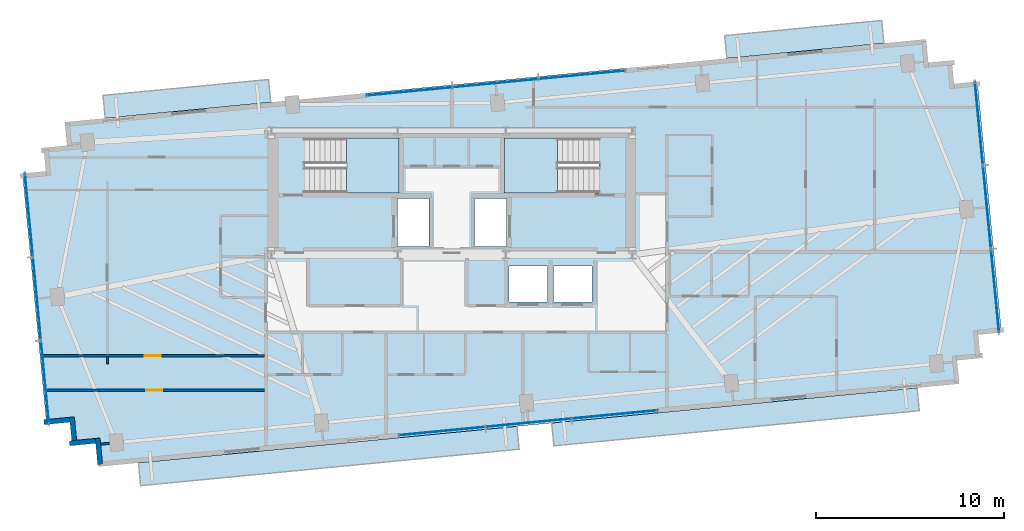
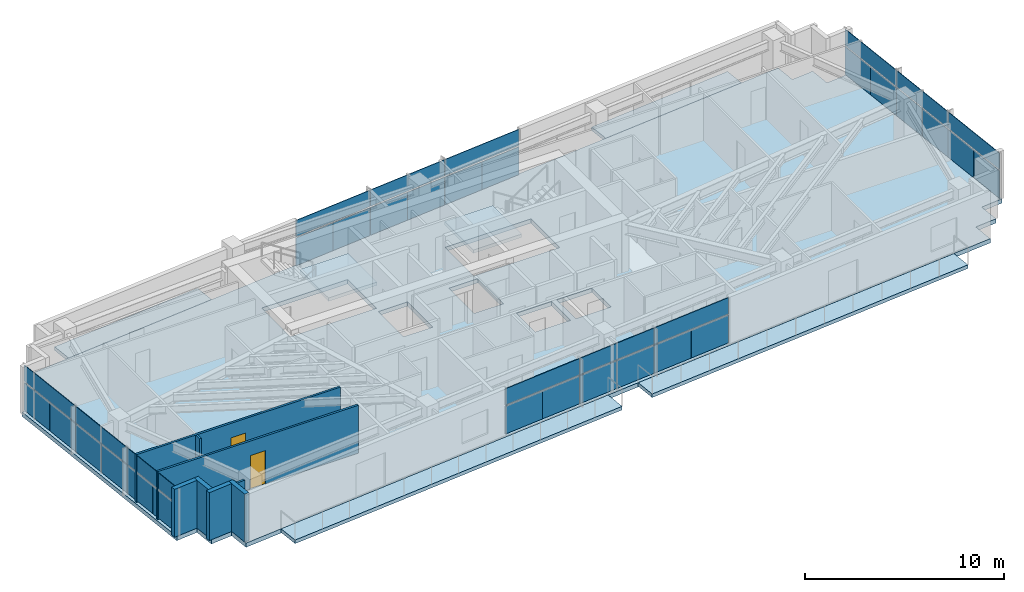
# One storey, part 12 of 18: 36 plates, 8 walls, 7 slabs, 2 doors, 2 openings, 6 elements without a shape of their own.
"""IFC4 building model written with IfcOpenShell, lengths in metres."""

from ifc_helpers import new_model, si_unit, direction, frame, frame_2d, origin, origin_2d, place, context, subcontext, project, spatial, polyline, rectangle, outline, extrude, source, transform, mapped, material, layer, layer_set, type_object, type_shapes, element, fill, aggregate, save


model = new_model("IFC4")

# Units and contexts
model_context = context("Model", 3, precision=1e-05, world=origin(), true_north=direction((0.0, 1.0)))
body_context = subcontext(model_context, "Body", "Model", "MODEL_VIEW")
ifc_project = project(units=[si_unit("LENGTHUNIT", "METRE"), si_unit("AREAUNIT", "SQUARE_METRE"), si_unit("VOLUMEUNIT", "CUBIC_METRE"), si_unit("PLANEANGLEUNIT", "RADIAN"), si_unit("MASSUNIT", "GRAM", prefix="KILO")], contexts=[model_context])

# Site, building, storey
site_placement = place(None, origin())
site = spatial("IfcSite", under=ifc_project, at=site_placement, CompositionType="ELEMENT")
building_placement = place(site_placement, origin())
building = spatial("IfcBuilding", under=site, at=building_placement, Name="Astriad Promenade Condominiums", CompositionType="ELEMENT")
storey_placement = place(building_placement, frame((0.0, 0.0, 192.199951171875)))
storey = spatial("IfcBuildingStorey", under=building, at=storey_placement, Name="L55", CompositionType="ELEMENT", Elevation=192.199951171875)

# Slab
ifc_material_1 = material(Name="Concrete C50/60", Category="concrete")
ifc_layer_1 = layer(ifc_material_1, 0.260009765625)
ifc_layer_set_1 = layer_set([ifc_layer_1], Name="Concrete C50/60")
slab_type_1 = type_object("IfcSlabType", Name="CONCRETE TOWER FLOOR SLAB 260", PredefinedType="FLOOR", material=ifc_layer_set_1)
slab_1_placement = place(storey_placement, frame((0.0, 0.0, -0.260009765625)))
element("IfcSlab", 1, at=slab_1_placement, inside=storey, type_object=slab_type_1, Name="Structural Floor Slab (L55)", PredefinedType="FLOOR", context=body_context, shape_type="SweptSolid", body=[
    extrude(outline(polyline([(17.187744140625, 6.137939453125), (62.975830078125, 10.546875), (62.856201171875, 11.791015625), (64.100341796875, 11.910888671875), (63.98046875, 13.155029296875), (65.224853515625, 13.27490234375), (63.9404296875, 26.61328125), (62.6962890625, 26.493408203125), (62.576416015625, 27.73779296875), (61.33203125, 27.617919921875), (61.21240234375, 28.862060546875), (15.424072265625, 24.453125), (15.5439453125, 23.208984375), (14.2998046875, 23.089111328125), (14.41943359375, 21.844970703125), (13.17529296875, 21.72509765625), (14.459716796875, 8.38671875), (15.703857421875, 8.506591796875), (15.823486328125, 7.26220703125), (17.06787109375, 7.382080078125), (17.187744140625, 6.137939453125)]), holes=[polyline([(28.175048828125, 20.699951171875), (33.175048828125, 20.699951171875), (33.175048828125, 23.60009765625), (28.175048828125, 23.60009765625), (28.175048828125, 20.699951171875)]), polyline([(38.824951171875, 20.699951171875), (43.824951171875, 20.699951171875), (43.824951171875, 23.60009765625), (38.824951171875, 23.60009765625), (38.824951171875, 20.699951171875)]), polyline([(33.10009765625, 17.85009765625), (34.800048828125, 17.85009765625), (34.800048828125, 20.39990234375), (33.10009765625, 20.39990234375), (33.10009765625, 17.85009765625)]), polyline([(37.199951171875, 17.85009765625), (38.89990234375, 17.85009765625), (38.89990234375, 20.39990234375), (37.199951171875, 20.39990234375), (37.199951171875, 17.85009765625)]), polyline([(39.050048828125, 14.89990234375), (41.10009765625, 14.89990234375), (41.10009765625, 16.800048828125), (39.050048828125, 16.800048828125), (39.050048828125, 14.89990234375)]), polyline([(41.39990234375, 14.89990234375), (43.449951171875, 14.89990234375), (43.449951171875, 16.800048828125), (41.39990234375, 16.800048828125), (41.39990234375, 14.89990234375)])]), origin(), (0.0, 0.0, 1.0), 0.260009765625),
])

# Stair, slab
stair_type = type_object("IfcStairType", Name="STR-CORE-1350", PredefinedType="HALF_TURN_STAIR", material=ifc_material_1)
stair_1_placement = place(storey_placement, origin())
stair_1 = element("IfcStair", 2, at=stair_1_placement, inside=storey, type_object=stair_type, Name="L55 Enclosed Core Exit Stair ST-1", PredefinedType="HALF_TURN_STAIR")
ifc_layer_2 = layer(ifc_material_1, 0.219970703125)
ifc_layer_set_2 = layer_set([ifc_layer_2], Name="Concrete C50/60")
slab_type_2 = type_object("IfcSlabType", Name="SLB-LANDING-220", PredefinedType="LANDING", material=ifc_layer_set_2)
slab_2_placement = place(storey_placement, frame((0.0, 0.0, 1.400146484375)))
slab_2 = element("IfcSlab", 3, at=slab_2_placement, type_object=slab_type_2, Name="ST-1 landing 1", PredefinedType="LANDING", context=body_context, shape_type="SweptSolid", body=[
    extrude(outline(polyline([(30.389892578125, 20.699951171875), (33.199951171875, 20.699951171875), (33.199951171875, 23.60009765625), (30.389892578125, 23.60009765625), (30.389892578125, 20.699951171875)])), origin(), (0.0, 0.0, 1.0), 0.199951171875),
])
aggregate(stair_1, [slab_2])

stair_2_placement = place(storey_placement, origin())
stair_2 = element("IfcStair", 4, at=stair_2_placement, inside=storey, type_object=stair_type, Name="L55 Enclosed Core Exit Stair ST-2", PredefinedType="HALF_TURN_STAIR")
slab_3_placement = place(storey_placement, frame((0.0, 0.0, 1.400146484375)))
slab_3 = element("IfcSlab", 5, at=slab_3_placement, type_object=slab_type_2, Name="ST-2 landing 1", PredefinedType="LANDING", context=body_context, shape_type="SweptSolid", body=[
    extrude(outline(polyline([(41.610107421875, 23.60009765625), (38.800048828125, 23.60009765625), (38.800048828125, 20.699951171875), (41.610107421875, 20.699951171875), (41.610107421875, 23.60009765625)])), origin(), (0.0, 0.0, 1.0), 0.199951171875),
])
aggregate(stair_2, [slab_3])

# Slabs
ifc_material_2 = material(Name="Precast concrete C50/60", Category="concrete")
ifc_layer_3 = layer(ifc_material_2, 0.219970703125)
ifc_layer_set_3 = layer_set([ifc_layer_3], Name="Precast concrete C50/60")
slab_type_3 = type_object("IfcSlabType", Name="WHITE PRECAST CONCRETE WAVE BALCONY SLAB 220", PredefinedType="FLOOR", material=ifc_layer_set_3)
slab_4_placement = place(storey_placement, frame((0.0, 0.0, -0.219970703125)))
element("IfcSlab", 6, at=slab_4_placement, inside=storey, type_object=slab_type_3, Name="White Precast Wave Balcony Slab BAL-L55-SW", PredefinedType="FLOOR", context=body_context, shape_type="SweptSolid", body=[
    extrude(outline(polyline([(19.455810546875, 5.130615234375), (39.57861328125, 7.068359375), (39.461669921875, 8.28271484375), (19.338623046875, 6.344970703125), (19.455810546875, 5.130615234375)])), origin(), (0.0, 0.0, 1.0), 0.219970703125),
])
slab_5_placement = place(storey_placement, frame((0.0, 0.0, -0.219970703125)))
element("IfcSlab", 7, at=slab_5_placement, inside=storey, type_object=slab_type_3, Name="White Precast Wave Balcony Slab BAL-L55-SE", PredefinedType="FLOOR", context=body_context, shape_type="SweptSolid", body=[
    extrude(outline(polyline([(60.851318359375, 9.11669921875), (41.425048828125, 7.24609375), (41.308349609375, 8.45849609375), (60.734619140625, 10.3291015625), (60.851318359375, 9.11669921875)])), origin(), (0.0, 0.0, 1.0), 0.219970703125),
])
slab_6_placement = place(storey_placement, frame((0.0, 0.0, -0.219970703125)))
element("IfcSlab", 8, at=slab_6_placement, inside=storey, type_object=slab_type_3, Name="White Precast Wave Balcony Slab BAL-L55-NW", PredefinedType="FLOOR", context=body_context, shape_type="SweptSolid", body=[
    extrude(outline(polyline([(17.458251953125, 25.874755859375), (26.256591796875, 26.721923828125), (26.373291015625, 25.509521484375), (17.574951171875, 24.662353515625), (17.458251953125, 25.874755859375)])), origin(), (0.0, 0.0, 1.0), 0.219970703125),
])
slab_7_placement = place(storey_placement, frame((0.0, 0.0, -0.219970703125)))
element("IfcSlab", 9, at=slab_7_placement, inside=storey, type_object=slab_type_3, Name="White Precast Wave Balcony Slab BAL-L55-NE", PredefinedType="FLOOR", context=body_context, shape_type="SweptSolid", body=[
    extrude(outline(polyline([(50.50439453125, 29.056640625), (58.853759765625, 29.860595703125), (58.970458984375, 28.648193359375), (50.62109375, 27.84423828125), (50.50439453125, 29.056640625)])), origin(), (0.0, 0.0, 1.0), 0.219970703125),
])

# Curtain wall, plates
ifc_material_3 = material(Name="Anodised aluminium Black Dark Glass Unitised", Category="aluminium")
curtain_wall_type = type_object("IfcCurtainWallType", Name="CW-B34-DARK", PredefinedType="USERDEFINED", material=ifc_material_3)
curtain_wall_1_placement = place(storey_placement, origin())
curtain_wall_1 = element("IfcCurtainWall", 10, at=curtain_wall_1_placement, inside=storey, type_object=curtain_wall_type, Name="CW-L55-W", ObjectType="UNITISED_CURTAIN_WALL", PredefinedType="USERDEFINED")
ifc_material_4 = material(Name="Dark Tinted Low-E Laminated Glass", Category="glass")
ifc_layer_4 = layer(ifc_material_4, 0.035888671875)
ifc_layer_set_4 = layer_set([ifc_layer_4], Name="Dark Tinted Low-E Laminated Glass")
plate_type = type_object("IfcPlateType", Name="PNL-DARK-GLASS-36", PredefinedType="CURTAIN_PANEL", material=ifc_layer_set_4)
shared_shape_1 = source(origin(), body_context, "Body", "SweptSolid", [
    extrude(rectangle(XDim=2.22119140625, YDim=0.035888671875, at=origin_2d()), origin(), (0.0, 0.0, 1.0), 1.702880859375),
])
plate_1_placement = place(storey_placement, frame((14.48193359375, 9.5107421875, 0.080078125), z_axis=(0.0, 0.0, 1.0), x_axis=(-0.09584575252, 0.995396198367, 0.0)))
plate_1 = element("IfcPlate", 11, at=plate_1_placement, type_object=plate_type, Name="CW-L55-W-PNL-00-VL", PredefinedType="CURTAIN_PANEL", context=body_context, shape_type="MappedRepresentation", body=[
    mapped(shared_shape_1, transform((0.0, 0.0, 0.0), scale=1.0)),
])
plate_2_placement = place(storey_placement, frame((14.267822265625, 11.73388671875, 0.080078125), z_axis=(0.0, 0.0, 1.0), x_axis=(-0.09584575252, 0.995396198367, 0.0)))
plate_2 = element("IfcPlate", 12, at=plate_2_placement, type_object=plate_type, Name="CW-L55-W-PNL-00-VR", PredefinedType="CURTAIN_PANEL", context=body_context, shape_type="MappedRepresentation", body=[
    mapped(shared_shape_1, transform((0.0, 0.0, 0.0), scale=1.0)),
])
plate_3_placement = place(storey_placement, frame((14.053955078125, 13.956787109375, 0.080078125), z_axis=(0.0, 0.0, 1.0), x_axis=(-0.09584575252, 0.995396198367, 0.0)))
plate_3 = element("IfcPlate", 13, at=plate_3_placement, type_object=plate_type, Name="CW-L55-W-PNL-01-VL", PredefinedType="CURTAIN_PANEL", context=body_context, shape_type="MappedRepresentation", body=[
    mapped(shared_shape_1, transform((0.0, 0.0, 0.0), scale=1.0)),
])
plate_4_placement = place(storey_placement, frame((13.839599609375, 16.179931640625, 0.080078125), z_axis=(0.0, 0.0, 1.0), x_axis=(-0.09584575252, 0.995396198367, 0.0)))
plate_4 = element("IfcPlate", 14, at=plate_4_placement, type_object=plate_type, Name="CW-L55-W-PNL-01-VR", PredefinedType="CURTAIN_PANEL", context=body_context, shape_type="MappedRepresentation", body=[
    mapped(shared_shape_1, transform((0.0, 0.0, 0.0), scale=1.0)),
])
plate_5_placement = place(storey_placement, frame((13.625732421875, 18.403076171875, 0.080078125), z_axis=(0.0, 0.0, 1.0), x_axis=(-0.09584575252, 0.995396198367, 0.0)))
plate_5 = element("IfcPlate", 15, at=plate_5_placement, type_object=plate_type, Name="CW-L55-W-PNL-02-VL", PredefinedType="CURTAIN_PANEL", context=body_context, shape_type="MappedRepresentation", body=[
    mapped(shared_shape_1, transform((0.0, 0.0, 0.0), scale=1.0)),
])
plate_6_placement = place(storey_placement, frame((13.41162109375, 20.626220703125, 0.080078125), z_axis=(0.0, 0.0, 1.0), x_axis=(-0.09584575252, 0.995396198367, 0.0)))
plate_6 = element("IfcPlate", 16, at=plate_6_placement, type_object=plate_type, Name="CW-L55-W-PNL-02-VR", PredefinedType="CURTAIN_PANEL", context=body_context, shape_type="MappedRepresentation", body=[
    mapped(shared_shape_1, transform((0.0, 0.0, 0.0), scale=1.0)),
])

curtain_wall_2_placement = place(storey_placement, origin())
curtain_wall_2 = element("IfcCurtainWall", 17, at=curtain_wall_2_placement, inside=storey, type_object=curtain_wall_type, Name="CW-L55-E", ObjectType="UNITISED_CURTAIN_WALL", PredefinedType="USERDEFINED")
plate_7_placement = place(storey_placement, frame((63.91796875, 25.4892578125, 0.080078125), z_axis=(0.0, 0.0, 1.0), x_axis=(0.09584575252, -0.995396198367, 0.0)))
plate_7 = element("IfcPlate", 18, at=plate_7_placement, type_object=plate_type, Name="CW-L55-E-PNL-00-VL", PredefinedType="CURTAIN_PANEL", context=body_context, shape_type="MappedRepresentation", body=[
    mapped(shared_shape_1, transform((0.0, 0.0, 0.0), scale=1.0)),
])
plate_8_placement = place(storey_placement, frame((64.132080078125, 23.26611328125, 0.080078125), z_axis=(0.0, 0.0, 1.0), x_axis=(0.09584575252, -0.995396198367, 0.0)))
plate_8 = element("IfcPlate", 19, at=plate_8_placement, type_object=plate_type, Name="CW-L55-E-PNL-00-VR", PredefinedType="CURTAIN_PANEL", context=body_context, shape_type="MappedRepresentation", body=[
    mapped(shared_shape_1, transform((0.0, 0.0, 0.0), scale=1.0)),
])
plate_9_placement = place(storey_placement, frame((64.34619140625, 21.043212890625, 0.080078125), z_axis=(0.0, 0.0, 1.0), x_axis=(0.09584575252, -0.995396198367, 0.0)))
plate_9 = element("IfcPlate", 20, at=plate_9_placement, type_object=plate_type, Name="CW-L55-E-PNL-01-VL", PredefinedType="CURTAIN_PANEL", context=body_context, shape_type="MappedRepresentation", body=[
    mapped(shared_shape_1, transform((0.0, 0.0, 0.0), scale=1.0)),
])
plate_10_placement = place(storey_placement, frame((64.560302734375, 18.820068359375, 0.080078125), z_axis=(0.0, 0.0, 1.0), x_axis=(0.09584575252, -0.995396198367, 0.0)))
plate_10 = element("IfcPlate", 21, at=plate_10_placement, type_object=plate_type, Name="CW-L55-E-PNL-01-VR", PredefinedType="CURTAIN_PANEL", context=body_context, shape_type="MappedRepresentation", body=[
    mapped(shared_shape_1, transform((0.0, 0.0, 0.0), scale=1.0)),
])
plate_11_placement = place(storey_placement, frame((64.7744140625, 16.596923828125, 0.080078125), z_axis=(0.0, 0.0, 1.0), x_axis=(0.09584575252, -0.995396198367, 0.0)))
plate_11 = element("IfcPlate", 22, at=plate_11_placement, type_object=plate_type, Name="CW-L55-E-PNL-02-VL", PredefinedType="CURTAIN_PANEL", context=body_context, shape_type="MappedRepresentation", body=[
    mapped(shared_shape_1, transform((0.0, 0.0, 0.0), scale=1.0)),
])
plate_12_placement = place(storey_placement, frame((64.98828125, 14.373779296875, 0.080078125), z_axis=(0.0, 0.0, 1.0), x_axis=(0.09584575252, -0.995396198367, 0.0)))
plate_12 = element("IfcPlate", 23, at=plate_12_placement, type_object=plate_type, Name="CW-L55-E-PNL-02-VR", PredefinedType="CURTAIN_PANEL", context=body_context, shape_type="MappedRepresentation", body=[
    mapped(shared_shape_1, transform((0.0, 0.0, 0.0), scale=1.0)),
])

# Plate
shared_shape_2 = source(origin(), body_context, "Body", "SweptSolid", [
    extrude(rectangle(XDim=4.45458984375, YDim=0.035888671875, at=origin_2d()), origin(), (0.0, 0.0, 1.0), 0.997314453125),
])
plate_13_placement = place(storey_placement, frame((14.375, 10.622314453125, 1.86279296875), z_axis=(0.0, 0.0, 1.0), x_axis=(-0.09584575252, 0.995396198367, 0.0)))
plate_13 = element("IfcPlate", 24, at=plate_13_placement, type_object=plate_type, Name="CW-L55-W-PNL-00-S", PredefinedType="CURTAIN_PANEL", context=body_context, shape_type="MappedRepresentation", body=[
    mapped(shared_shape_2, transform((0.0, 0.0, 0.0), scale=1.0)),
])

plate_14_placement = place(storey_placement, frame((13.94677734375, 15.068359375, 1.86279296875), z_axis=(0.0, 0.0, 1.0), x_axis=(-0.09584575252, 0.995396198367, 0.0)))
plate_14 = element("IfcPlate", 25, at=plate_14_placement, type_object=plate_type, Name="CW-L55-W-PNL-01-S", PredefinedType="CURTAIN_PANEL", context=body_context, shape_type="MappedRepresentation", body=[
    mapped(shared_shape_2, transform((0.0, 0.0, 0.0), scale=1.0)),
])

plate_15_placement = place(storey_placement, frame((13.518798828125, 19.514404296875, 1.86279296875), z_axis=(0.0, 0.0, 1.0), x_axis=(-0.09584575252, 0.995396198367, 0.0)))
plate_15 = element("IfcPlate", 26, at=plate_15_placement, type_object=plate_type, Name="CW-L55-W-PNL-02-S", PredefinedType="CURTAIN_PANEL", context=body_context, shape_type="MappedRepresentation", body=[
    mapped(shared_shape_2, transform((0.0, 0.0, 0.0), scale=1.0)),
])

aggregate(curtain_wall_1, [plate_1, plate_2, plate_13, plate_3, plate_4, plate_14, plate_5, plate_6, plate_15])

plate_16_placement = place(storey_placement, frame((64.02490234375, 24.377685546875, 1.86279296875), z_axis=(0.0, 0.0, 1.0), x_axis=(0.09584575252, -0.995396198367, 0.0)))
plate_16 = element("IfcPlate", 27, at=plate_16_placement, type_object=plate_type, Name="CW-L55-E-PNL-00-S", PredefinedType="CURTAIN_PANEL", context=body_context, shape_type="MappedRepresentation", body=[
    mapped(shared_shape_2, transform((0.0, 0.0, 0.0), scale=1.0)),
])

plate_17_placement = place(storey_placement, frame((64.453125, 19.931640625, 1.86279296875), z_axis=(0.0, 0.0, 1.0), x_axis=(0.09584575252, -0.995396198367, 0.0)))
plate_17 = element("IfcPlate", 28, at=plate_17_placement, type_object=plate_type, Name="CW-L55-E-PNL-01-S", PredefinedType="CURTAIN_PANEL", context=body_context, shape_type="MappedRepresentation", body=[
    mapped(shared_shape_2, transform((0.0, 0.0, 0.0), scale=1.0)),
])

plate_18_placement = place(storey_placement, frame((64.88134765625, 15.485595703125, 1.86279296875), z_axis=(0.0, 0.0, 1.0), x_axis=(0.09584575252, -0.995396198367, 0.0)))
plate_18 = element("IfcPlate", 29, at=plate_18_placement, type_object=plate_type, Name="CW-L55-E-PNL-02-S", PredefinedType="CURTAIN_PANEL", context=body_context, shape_type="MappedRepresentation", body=[
    mapped(shared_shape_2, transform((0.0, 0.0, 0.0), scale=1.0)),
])

aggregate(curtain_wall_2, [plate_7, plate_8, plate_16, plate_9, plate_10, plate_17, plate_11, plate_12, plate_18])

# Curtain wall, plates
curtain_wall_3_placement = place(storey_placement, origin())
curtain_wall_3 = element("IfcCurtainWall", 30, at=curtain_wall_3_placement, inside=storey, type_object=curtain_wall_type, Name="CW-L55-N", ObjectType="UNITISED_CURTAIN_WALL", PredefinedType="USERDEFINED")
shared_shape_3 = source(origin(), body_context, "Body", "SweptSolid", [
    extrude(rectangle(XDim=2.2880859375, YDim=0.035888671875, at=origin_2d()), origin(), (0.0, 0.0, 1.0), 1.702880859375),
])
plate_19_placement = place(storey_placement, frame((32.607177734375, 25.97705078125, 0.080078125), z_axis=(0.0, 0.0, 1.0), x_axis=(0.995396198367, 0.09584575252, 0.0)))
plate_19 = element("IfcPlate", 31, at=plate_19_placement, type_object=plate_type, Name="CW-L55-N-PNL-00-VL", PredefinedType="CURTAIN_PANEL", context=body_context, shape_type="MappedRepresentation", body=[
    mapped(shared_shape_3, transform((0.0, 0.0, 0.0), scale=1.0)),
])
plate_20_placement = place(storey_placement, frame((34.896484375, 26.197509765625, 0.080078125), z_axis=(0.0, 0.0, 1.0), x_axis=(0.995396198367, 0.09584575252, 0.0)))
plate_20 = element("IfcPlate", 32, at=plate_20_placement, type_object=plate_type, Name="CW-L55-N-PNL-00-VR", PredefinedType="CURTAIN_PANEL", context=body_context, shape_type="MappedRepresentation", body=[
    mapped(shared_shape_3, transform((0.0, 0.0, 0.0), scale=1.0)),
])
plate_21_placement = place(storey_placement, frame((37.18603515625, 26.41796875, 0.080078125), z_axis=(0.0, 0.0, 1.0), x_axis=(0.995396198367, 0.09584575252, 0.0)))
plate_21 = element("IfcPlate", 33, at=plate_21_placement, type_object=plate_type, Name="CW-L55-N-PNL-01-VL", PredefinedType="CURTAIN_PANEL", context=body_context, shape_type="MappedRepresentation", body=[
    mapped(shared_shape_3, transform((0.0, 0.0, 0.0), scale=1.0)),
])
plate_22_placement = place(storey_placement, frame((39.475341796875, 26.638427734375, 0.080078125), z_axis=(0.0, 0.0, 1.0), x_axis=(0.995396198367, 0.09584575252, 0.0)))
plate_22 = element("IfcPlate", 34, at=plate_22_placement, type_object=plate_type, Name="CW-L55-N-PNL-01-VR", PredefinedType="CURTAIN_PANEL", context=body_context, shape_type="MappedRepresentation", body=[
    mapped(shared_shape_3, transform((0.0, 0.0, 0.0), scale=1.0)),
])
plate_23_placement = place(storey_placement, frame((41.764892578125, 26.85888671875, 0.080078125), z_axis=(0.0, 0.0, 1.0), x_axis=(0.995396198367, 0.09584575252, 0.0)))
plate_23 = element("IfcPlate", 35, at=plate_23_placement, type_object=plate_type, Name="CW-L55-N-PNL-02-VL", PredefinedType="CURTAIN_PANEL", context=body_context, shape_type="MappedRepresentation", body=[
    mapped(shared_shape_3, transform((0.0, 0.0, 0.0), scale=1.0)),
])
plate_24_placement = place(storey_placement, frame((44.05419921875, 27.079345703125, 0.080078125), z_axis=(0.0, 0.0, 1.0), x_axis=(0.995396198367, 0.09584575252, 0.0)))
plate_24 = element("IfcPlate", 36, at=plate_24_placement, type_object=plate_type, Name="CW-L55-N-PNL-02-VR", PredefinedType="CURTAIN_PANEL", context=body_context, shape_type="MappedRepresentation", body=[
    mapped(shared_shape_3, transform((0.0, 0.0, 0.0), scale=1.0)),
])

curtain_wall_4_placement = place(storey_placement, origin())
curtain_wall_4 = element("IfcCurtainWall", 37, at=curtain_wall_4_placement, inside=storey, type_object=curtain_wall_type, Name="CW-L55-S", ObjectType="UNITISED_CURTAIN_WALL", PredefinedType="USERDEFINED")
plate_25_placement = place(storey_placement, frame((45.792724609375, 9.02294921875, 0.080078125), z_axis=(0.0, 0.0, 1.0), x_axis=(-0.995396198367, -0.09584575252, 0.0)))
plate_25 = element("IfcPlate", 38, at=plate_25_placement, type_object=plate_type, Name="CW-L55-S-PNL-00-VL", PredefinedType="CURTAIN_PANEL", context=body_context, shape_type="MappedRepresentation", body=[
    mapped(shared_shape_3, transform((0.0, 0.0, 0.0), scale=1.0)),
])
plate_26_placement = place(storey_placement, frame((43.50341796875, 8.802490234375, 0.080078125), z_axis=(0.0, 0.0, 1.0), x_axis=(-0.995396198367, -0.09584575252, 0.0)))
plate_26 = element("IfcPlate", 39, at=plate_26_placement, type_object=plate_type, Name="CW-L55-S-PNL-00-VR", PredefinedType="CURTAIN_PANEL", context=body_context, shape_type="MappedRepresentation", body=[
    mapped(shared_shape_3, transform((0.0, 0.0, 0.0), scale=1.0)),
])
plate_27_placement = place(storey_placement, frame((41.214111328125, 8.58203125, 0.080078125), z_axis=(0.0, 0.0, 1.0), x_axis=(-0.995396198367, -0.09584575252, 0.0)))
plate_27 = element("IfcPlate", 40, at=plate_27_placement, type_object=plate_type, Name="CW-L55-S-PNL-01-VL", PredefinedType="CURTAIN_PANEL", context=body_context, shape_type="MappedRepresentation", body=[
    mapped(shared_shape_3, transform((0.0, 0.0, 0.0), scale=1.0)),
])
plate_28_placement = place(storey_placement, frame((38.924560546875, 8.361572265625, 0.080078125), z_axis=(0.0, 0.0, 1.0), x_axis=(-0.995396198367, -0.09584575252, 0.0)))
plate_28 = element("IfcPlate", 41, at=plate_28_placement, type_object=plate_type, Name="CW-L55-S-PNL-01-VR", PredefinedType="CURTAIN_PANEL", context=body_context, shape_type="MappedRepresentation", body=[
    mapped(shared_shape_3, transform((0.0, 0.0, 0.0), scale=1.0)),
])
plate_29_placement = place(storey_placement, frame((36.63525390625, 8.14111328125, 0.080078125), z_axis=(0.0, 0.0, 1.0), x_axis=(-0.995396198367, -0.09584575252, 0.0)))
plate_29 = element("IfcPlate", 42, at=plate_29_placement, type_object=plate_type, Name="CW-L55-S-PNL-02-VL", PredefinedType="CURTAIN_PANEL", context=body_context, shape_type="MappedRepresentation", body=[
    mapped(shared_shape_3, transform((0.0, 0.0, 0.0), scale=1.0)),
])
plate_30_placement = place(storey_placement, frame((34.345703125, 7.920654296875, 0.080078125), z_axis=(0.0, 0.0, 1.0), x_axis=(-0.995396198367, -0.09584575252, 0.0)))
plate_30 = element("IfcPlate", 43, at=plate_30_placement, type_object=plate_type, Name="CW-L55-S-PNL-02-VR", PredefinedType="CURTAIN_PANEL", context=body_context, shape_type="MappedRepresentation", body=[
    mapped(shared_shape_3, transform((0.0, 0.0, 0.0), scale=1.0)),
])

# Plate
shared_shape_4 = source(origin(), body_context, "Body", "SweptSolid", [
    extrude(rectangle(XDim=4.587890625, YDim=0.035888671875, at=origin_2d()), origin(), (0.0, 0.0, 1.0), 0.997314453125),
])
type_shapes(plate_type, [shared_shape_1, shared_shape_2, shared_shape_3, shared_shape_4])
plate_31_placement = place(storey_placement, frame((33.751953125, 26.08740234375, 1.86279296875), z_axis=(0.0, 0.0, 1.0), x_axis=(0.995396198367, 0.09584575252, 0.0)))
plate_31 = element("IfcPlate", 44, at=plate_31_placement, type_object=plate_type, Name="CW-L55-N-PNL-00-S", PredefinedType="CURTAIN_PANEL", context=body_context, shape_type="MappedRepresentation", body=[
    mapped(shared_shape_4, transform((0.0, 0.0, 0.0), scale=1.0)),
])

plate_32_placement = place(storey_placement, frame((38.330810546875, 26.5283203125, 1.86279296875), z_axis=(0.0, 0.0, 1.0), x_axis=(0.995396198367, 0.09584575252, 0.0)))
plate_32 = element("IfcPlate", 45, at=plate_32_placement, type_object=plate_type, Name="CW-L55-N-PNL-01-S", PredefinedType="CURTAIN_PANEL", context=body_context, shape_type="MappedRepresentation", body=[
    mapped(shared_shape_4, transform((0.0, 0.0, 0.0), scale=1.0)),
])

plate_33_placement = place(storey_placement, frame((42.909423828125, 26.968994140625, 1.86279296875), z_axis=(0.0, 0.0, 1.0), x_axis=(0.995396198367, 0.09584575252, 0.0)))
plate_33 = element("IfcPlate", 46, at=plate_33_placement, type_object=plate_type, Name="CW-L55-N-PNL-02-S", PredefinedType="CURTAIN_PANEL", context=body_context, shape_type="MappedRepresentation", body=[
    mapped(shared_shape_4, transform((0.0, 0.0, 0.0), scale=1.0)),
])

aggregate(curtain_wall_3, [plate_19, plate_20, plate_31, plate_21, plate_22, plate_32, plate_23, plate_24, plate_33])

plate_34_placement = place(storey_placement, frame((44.648193359375, 8.91259765625, 1.86279296875), z_axis=(0.0, 0.0, 1.0), x_axis=(-0.995396198367, -0.09584575252, 0.0)))
plate_34 = element("IfcPlate", 47, at=plate_34_placement, type_object=plate_type, Name="CW-L55-S-PNL-00-S", PredefinedType="CURTAIN_PANEL", context=body_context, shape_type="MappedRepresentation", body=[
    mapped(shared_shape_4, transform((0.0, 0.0, 0.0), scale=1.0)),
])

plate_35_placement = place(storey_placement, frame((40.0693359375, 8.4716796875, 1.86279296875), z_axis=(0.0, 0.0, 1.0), x_axis=(-0.995396198367, -0.09584575252, 0.0)))
plate_35 = element("IfcPlate", 48, at=plate_35_placement, type_object=plate_type, Name="CW-L55-S-PNL-01-S", PredefinedType="CURTAIN_PANEL", context=body_context, shape_type="MappedRepresentation", body=[
    mapped(shared_shape_4, transform((0.0, 0.0, 0.0), scale=1.0)),
])

plate_36_placement = place(storey_placement, frame((35.490478515625, 8.031005859375, 1.86279296875), z_axis=(0.0, 0.0, 1.0), x_axis=(-0.995396198367, -0.09584575252, 0.0)))
plate_36 = element("IfcPlate", 49, at=plate_36_placement, type_object=plate_type, Name="CW-L55-S-PNL-02-S", PredefinedType="CURTAIN_PANEL", context=body_context, shape_type="MappedRepresentation", body=[
    mapped(shared_shape_4, transform((0.0, 0.0, 0.0), scale=1.0)),
])

aggregate(curtain_wall_4, [plate_25, plate_26, plate_34, plate_27, plate_28, plate_35, plate_29, plate_30, plate_36])

# Walls
ifc_layer_5 = layer(ifc_material_2, 0.260009765625)
ifc_layer_set_5 = layer_set([ifc_layer_5], Name="Precast concrete C50/60")
wall_type_1 = type_object("IfcWallType", Name="WALL-EXT-TWR-260", PredefinedType="STANDARD", material=ifc_layer_set_5)
wall_1_placement = place(storey_placement, frame((17.0703125, 7.512939453125, 0.0), z_axis=(0.0, 0.0, 1.0), x_axis=(-0.995391056452, -0.09589913835, 0.0)))
element("IfcWall", 50, at=wall_1_placement, inside=storey, type_object=wall_type_1, Name="W-SER-L55-00", PredefinedType="STANDARD", context=body_context, shape_type="SweptSolid", body=[
    extrude(rectangle(XDim=1.39501953125, YDim=0.260009765625, at=frame_2d((0.697509765625, 0.0))), origin(), (0.0, 0.0, 1.0), 2.93994140625),
])
wall_2_placement = place(storey_placement, frame((15.94189453125, 7.389404296875, 0.0), z_axis=(0.0, 0.0, 1.0), x_axis=(-0.095742423056, 0.99540614245, 0.0)))
element("IfcWall", 51, at=wall_2_placement, inside=storey, type_object=wall_type_1, Name="W-SER-L55-01", PredefinedType="STANDARD", context=body_context, shape_type="SweptSolid", body=[
    extrude(rectangle(XDim=1.394775390625, YDim=0.260009765625, at=frame_2d((0.697265625, 0.0))), origin(), (0.0, 0.0, 1.0), 2.93994140625),
])
wall_3_placement = place(storey_placement, frame((15.706298828125, 8.637451171875, 0.0), z_axis=(0.0, 0.0, 1.0), x_axis=(-0.995391056452, -0.09589913835, 0.0)))
element("IfcWall", 52, at=wall_3_placement, inside=storey, type_object=wall_type_1, Name="W-SER-L55-02", PredefinedType="STANDARD", context=body_context, shape_type="SweptSolid", body=[
    extrude(rectangle(XDim=1.39501953125, YDim=0.260009765625, at=frame_2d((0.697509765625, 0.0))), origin(), (0.0, 0.0, 1.0), 2.93994140625),
])
wall_4_placement = place(storey_placement, frame((17.30615234375, 6.264892578125, 0.0), z_axis=(0.0, 0.0, 1.0), x_axis=(-0.095915846097, 0.995389446633, 0.0)))
element("IfcWall", 53, at=wall_4_placement, inside=storey, type_object=wall_type_1, Name="W-SER-L55-19", PredefinedType="STANDARD", context=body_context, shape_type="SweptSolid", body=[
    extrude(rectangle(XDim=1.394775390625, YDim=0.260009765625, at=frame_2d((0.697265625, 0.0))), origin(), (0.0, 0.0, 1.0), 2.93994140625),
])

# Wall, opening, door
ifc_material_5 = material(Name="Acoustic Metal-Stud Gypsum Partition")
ifc_layer_6 = layer(ifc_material_5, 0.1201171875)
ifc_layer_set_6 = layer_set([ifc_layer_6], Name="Acoustic Metal-Stud Gypsum Partition")
wall_type_2 = type_object("IfcWallType", Name="WALL-PART-120", PredefinedType="PARTITIONING", material=ifc_layer_set_6)
wall_5_placement = place(storey_placement, frame((14.36474609375, 10.2060546875, 0.0), z_axis=(0.0, 0.0, 1.0), x_axis=(1.0, 0.0, 0.0)))
wall_5 = element("IfcWall", 54, at=wall_5_placement, inside=storey, type_object=wall_type_2, Name="PT-L55-W1-WDS1", PredefinedType="PARTITIONING", context=body_context, shape_type="SweptSolid", body=[
    extrude(rectangle(XDim=11.67333984375, YDim=0.1201171875, at=frame_2d((5.836669921875, 0.0))), origin(), (0.0, 0.0, 1.0), 2.93994140625),
])
opening_1_placement = place(wall_5_placement, frame((5.4052734375, 0.0, 0.0)))
opening_1 = element("IfcOpeningElement", 55, at=opening_1_placement, cuts=wall_5, Name="Opening D-INT-085", PredefinedType="OPENING", context=body_context, shape_type="SweptSolid", body=[
    extrude(rectangle(XDim=0.85009765625, YDim=2.050048828125, at=frame_2d((0.425048828125, 1.02490234375))), frame((0.0, 0.070068359375, 0.0), z_axis=(0.0, -1.0, 0.0), x_axis=(1.0, 0.0, 0.0)), (0.0, 0.0, 1.0), 0.14013671875),
])
ifc_material_6 = material(Name="Painted Solid-Core Timber Room Door", Category="wood")
door_type = type_object("IfcDoorType", Name="D-INT-085", OperationType="NOTDEFINED", PredefinedType="DOOR", material=ifc_material_6)
shared_shape_5 = source(origin(), body_context, "Body", "SweptSolid", [
    extrude(rectangle(XDim=0.85009765625, YDim=2.050048828125, at=frame_2d((0.425048828125, 1.02490234375))), frame((0.0, 0.02490234375, 0.0), z_axis=(0.0, -1.0, 0.0), x_axis=(1.0, 0.0, 0.0)), (0.0, 0.0, 1.0), 0.050048828125),
])
type_shapes(door_type, [shared_shape_5])
door_1_placement = place(opening_1_placement, origin())
door_1 = element("IfcDoor", 56, at=door_1_placement, inside=storey, type_object=door_type, Name="D-WDS1-L55-W1", OperationType="SINGLE_SWING_LEFT", OverallHeight=2.050048828125, OverallWidth=0.85009765625, PredefinedType="DOOR", context=body_context, shape_type="MappedRepresentation", body=[
    mapped(shared_shape_5, transform((0.0, 0.0, 0.0), scale=1.0)),
])
fill(opening_1, door_1)

wall_6_placement = place(storey_placement, frame((14.188720703125, 12.033935546875, 0.0), z_axis=(0.0, 0.0, 1.0), x_axis=(1.0, 0.0, 0.0)))
wall_6 = element("IfcWall", 57, at=wall_6_placement, inside=storey, type_object=wall_type_2, Name="PT-L55-W1-WDS3", PredefinedType="PARTITIONING", context=body_context, shape_type="SweptSolid", body=[
    extrude(rectangle(XDim=11.849365234375, YDim=0.1201171875, at=frame_2d((5.9248046875, 0.0))), origin(), (0.0, 0.0, 1.0), 2.93994140625),
])
opening_2_placement = place(wall_6_placement, frame((5.4931640625, 0.0, 0.0)))
opening_2 = element("IfcOpeningElement", 58, at=opening_2_placement, cuts=wall_6, Name="Opening D-INT-085", PredefinedType="OPENING", context=body_context, shape_type="SweptSolid", body=[
    extrude(rectangle(XDim=0.85009765625, YDim=2.050048828125, at=frame_2d((0.425048828125, 1.02490234375))), frame((0.0, 0.070068359375, 0.0), z_axis=(0.0, -1.0, 0.0), x_axis=(1.0, 0.0, 0.0)), (0.0, 0.0, 1.0), 0.14013671875),
])
door_2_placement = place(opening_2_placement, origin())
door_2 = element("IfcDoor", 59, at=door_2_placement, inside=storey, type_object=door_type, Name="D-WDS3-L55-W1", OperationType="SINGLE_SWING_LEFT", OverallHeight=2.050048828125, OverallWidth=0.85009765625, PredefinedType="DOOR", context=body_context, shape_type="MappedRepresentation", body=[
    mapped(shared_shape_5, transform((0.0, 0.0, 0.0), scale=1.0)),
])
fill(opening_2, door_2)

# Walls
wall_7_placement = place(storey_placement, frame((17.69091796875, 11.593994140625, 0.0), z_axis=(0.0, 0.0, 1.0), x_axis=(0.0, 1.0, 0.0)))
element("IfcWall", 60, at=wall_7_placement, inside=storey, type_object=wall_type_2, Name="PT-L55-W1-WDV5", PredefinedType="PARTITIONING", context=body_context, shape_type="SweptSolid", body=[
    extrude(rectangle(XDim=0.3779296875, YDim=0.1201171875, at=frame_2d((0.18896484375, 0.0))), origin(), (0.0, 0.0, 1.0), 2.93994140625),
])
wall_8_placement = place(storey_placement, frame((17.791259765625, 7.381591796875, 0.0), z_axis=(0.0, 0.0, 1.0), x_axis=(-0.995384576284, -0.09596637586, 0.0)))
element("IfcWall", 61, at=wall_8_placement, inside=storey, type_object=wall_type_2, Name="PT-PIL-L55-PC01-8", PredefinedType="PARTITIONING", context=body_context, shape_type="SweptSolid", body=[
    extrude(rectangle(XDim=0.4580078125, YDim=0.1201171875, at=frame_2d((0.22900390625, 0.0))), origin(), (0.0, 0.0, 1.0), 2.93994140625),
])

save(model, "model.ifc")
